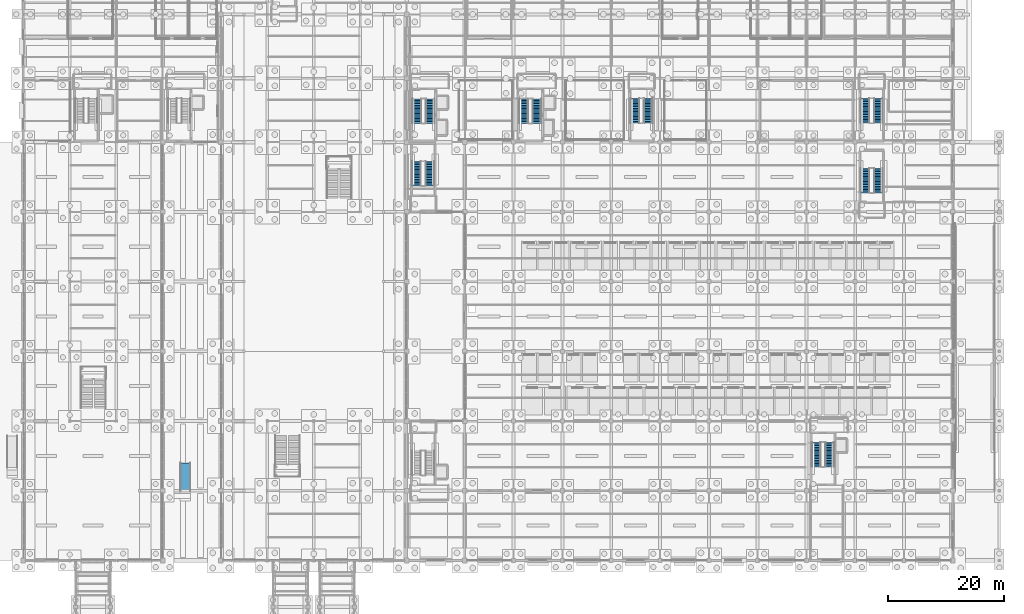
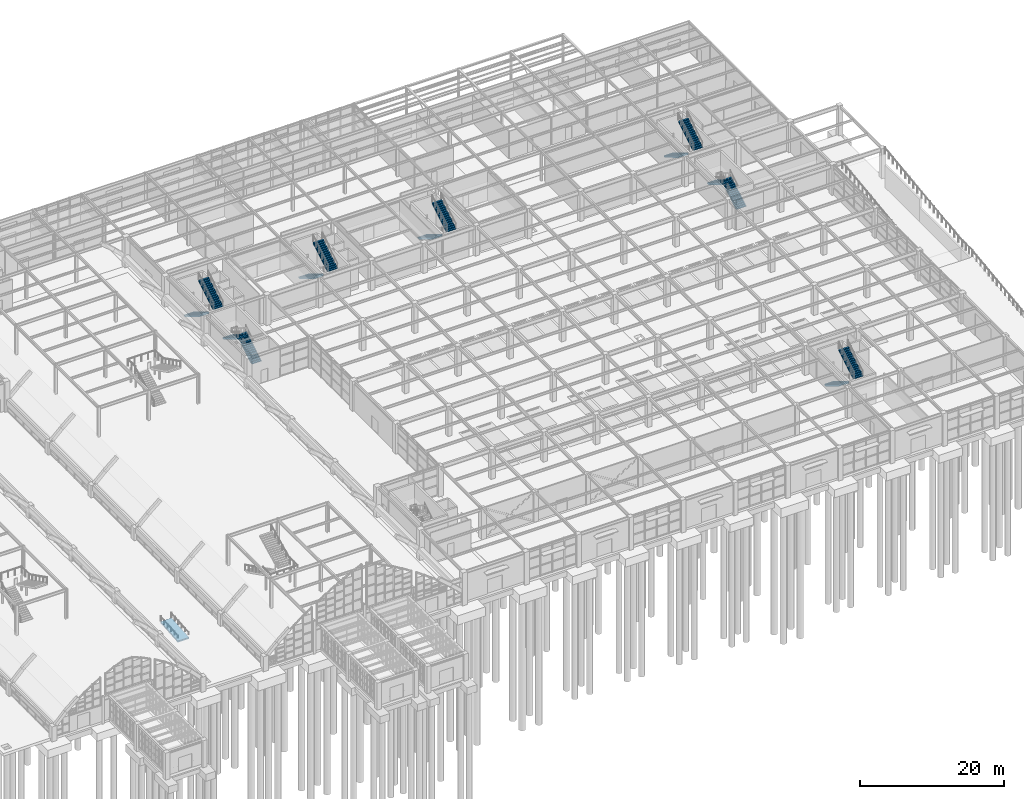
# One storey, part 112 of 129: 14 stair flights, 1 ramp flight, 8 elements without a shape of their own.
"""IFC4 building model written with IfcOpenShell, lengths in metres."""

from ifc_helpers import new_model, si_unit, direction, frame, origin, place, context, subcontext, project, spatial, polyline, outline, extrude, material, layer, layer_set, type_object, element, aggregate, save


model = new_model("IFC4")

# Units and contexts
model_context = context("Model", 3, precision=1e-05, world=origin(), true_north=direction((0.0, 1.0)))
body_context = subcontext(model_context, "Body", "Model", "MODEL_VIEW")
ifc_project = project(units=[si_unit("LENGTHUNIT", "METRE"), si_unit("AREAUNIT", "SQUARE_METRE"), si_unit("VOLUMEUNIT", "CUBIC_METRE"), si_unit("PLANEANGLEUNIT", "RADIAN"), si_unit("MASSUNIT", "GRAM", prefix="KILO")], contexts=[model_context])

# Site, building, storey
site_placement = place(None, origin())
site = spatial("IfcSite", under=ifc_project, at=site_placement, CompositionType="ELEMENT")
building_placement = place(site_placement, origin())
building = spatial("IfcBuilding", under=site, at=building_placement, Name="Sitalva Quay Ferry Terminal", CompositionType="ELEMENT")
storey_placement = place(building_placement, origin())
storey = spatial("IfcBuildingStorey", under=building, at=storey_placement, Name="L01", CompositionType="ELEMENT", Elevation=0.0)

# Stair, stair flights
ifc_material_1 = material(Name="Concrete C35/45", Category="concrete")
stair_type_1 = type_object("IfcStairType", Name="Stair_CoreDogLeg_1400", PredefinedType="HALF_TURN_STAIR", material=ifc_material_1)
stair_1_placement = place(storey_placement, origin())
stair_1 = element("IfcStair", 1, at=stair_1_placement, inside=storey, type_object=stair_type_1, Name="L01 Core C4 stair ST-04", PredefinedType="HALF_TURN_STAIR")
ifc_material_2 = material(Name="Concrete C35/45", Category="concrete")
stair_flight_type_1 = type_object("IfcStairFlightType", Name="Stair_CoreDogLeg_1400_Flight", PredefinedType="STRAIGHT", material=ifc_material_2)
stair_flight_1_placement = place(storey_placement, frame((113.31005859375, 85.510009765625, 0.0), z_axis=(0.0, 0.0, 1.0), x_axis=(0.0, -1.0, 0.0)))
stair_flight_1 = element("IfcStairFlight", 2, at=stair_flight_1_placement, type_object=stair_flight_type_1, Name="ST-04 flight 1", NumberOfRisers=16, NumberOfTreads=15, PredefinedType="STRAIGHT", RiserHeight=0.16875, TreadLength=0.28, context=body_context, shape_type="SweptSolid", body=[
    extrude(outline(polyline([(0.0, 0.0), (0.0, 0.168701171875), (0.280029296875, 0.168701171875), (0.280029296875, 0.33740234375), (0.56005859375, 0.33740234375), (0.56005859375, 0.50634765625), (0.840087890625, 0.50634765625), (0.840087890625, 0.675048828125), (1.1201171875, 0.675048828125), (1.1201171875, 0.84375), (1.39990234375, 0.84375), (1.39990234375, 1.012451171875), (1.679931640625, 1.012451171875), (1.679931640625, 1.18115234375), (1.9599609375, 1.18115234375), (1.9599609375, 1.35009765625), (2.239990234375, 1.35009765625), (2.239990234375, 1.518798828125), (2.52001953125, 1.518798828125), (2.52001953125, 1.6875), (2.800048828125, 1.6875), (2.800048828125, 1.856201171875), (3.080078125, 1.856201171875), (3.080078125, 2.02490234375), (3.360107421875, 2.02490234375), (3.360107421875, 2.19384765625), (3.639892578125, 2.19384765625), (3.639892578125, 2.362548828125), (3.919921875, 2.362548828125), (3.919921875, 2.53125), (4.199951171875, 2.53125), (4.199951171875, 2.699951171875), (4.199951171875, 2.3212890625), (3.959228515625, 2.176025390625), (3.718505859375, 2.031005859375), (3.477783203125, 1.885986328125), (3.237060546875, 1.740966796875), (2.996337890625, 1.595703125), (2.755615234375, 1.45068359375), (2.514892578125, 1.3056640625), (2.274169921875, 1.16064453125), (2.03369140625, 1.015625), (1.79296875, 0.870361328125), (1.55224609375, 0.725341796875), (1.3115234375, 0.580322265625), (1.07080078125, 0.435302734375), (0.830078125, 0.2900390625), (0.58935546875, 0.14501953125), (0.3486328125, 0.0), (0.0, 0.0)])), frame((0.0, 0.780029296875, 0.0), z_axis=(0.0, -1.0, 0.0), x_axis=(1.0, 0.0, 0.0)), (0.0, 0.0, 1.0), 1.56005859375),
])
stair_flight_2_placement = place(storey_placement, frame((115.590087890625, 81.31005859375, 2.699951171875), z_axis=(0.0, 0.0, 1.0), x_axis=(0.0, 1.0, 0.0)))
stair_flight_2 = element("IfcStairFlight", 3, at=stair_flight_2_placement, type_object=stair_flight_type_1, Name="ST-04 flight 2", NumberOfRisers=16, NumberOfTreads=15, PredefinedType="STRAIGHT", RiserHeight=0.16875, TreadLength=0.28, context=body_context, shape_type="SweptSolid", body=[
    extrude(outline(polyline([(0.0, 0.0), (0.0, 0.168701171875), (0.280029296875, 0.168701171875), (0.280029296875, 0.33740234375), (0.56005859375, 0.33740234375), (0.56005859375, 0.50634765625), (0.840087890625, 0.50634765625), (0.840087890625, 0.675048828125), (1.1201171875, 0.675048828125), (1.1201171875, 0.84375), (1.39990234375, 0.84375), (1.39990234375, 1.012451171875), (1.679931640625, 1.012451171875), (1.679931640625, 1.18115234375), (1.9599609375, 1.18115234375), (1.9599609375, 1.35009765625), (2.239990234375, 1.35009765625), (2.239990234375, 1.518798828125), (2.52001953125, 1.518798828125), (2.52001953125, 1.6875), (2.800048828125, 1.6875), (2.800048828125, 1.856201171875), (3.080078125, 1.856201171875), (3.080078125, 2.02490234375), (3.360107421875, 2.02490234375), (3.360107421875, 2.19384765625), (3.639892578125, 2.19384765625), (3.639892578125, 2.362548828125), (3.919921875, 2.362548828125), (3.919921875, 2.53125), (4.199951171875, 2.53125), (4.199951171875, 2.699951171875), (4.199951171875, 2.3212890625), (3.959228515625, 2.176025390625), (3.718505859375, 2.031005859375), (3.477783203125, 1.885986328125), (3.237060546875, 1.740966796875), (2.996337890625, 1.595703125), (2.755615234375, 1.45068359375), (2.514892578125, 1.3056640625), (2.274169921875, 1.16064453125), (2.03369140625, 1.015625), (1.79296875, 0.870361328125), (1.55224609375, 0.725341796875), (1.3115234375, 0.580322265625), (1.07080078125, 0.435302734375), (0.830078125, 0.2900390625), (0.58935546875, 0.14501953125), (0.3486328125, 0.0), (0.0, 0.0)])), frame((0.0, 0.780029296875, 0.0), z_axis=(0.0, -1.0, 0.0), x_axis=(1.0, 0.0, 0.0)), (0.0, 0.0, 1.0), 1.56005859375),
])
aggregate(stair_1, [stair_flight_1, stair_flight_2])

stair_2_placement = place(storey_placement, origin())
stair_2 = element("IfcStair", 4, at=stair_2_placement, inside=storey, type_object=stair_type_1, Name="L01 Core C8 stair ST-08", PredefinedType="HALF_TURN_STAIR")
stair_flight_3_placement = place(storey_placement, frame((144.5, 26.320068359375, 0.0), z_axis=(0.0, 0.0, 1.0), x_axis=(0.0, -1.0, 0.0)))
stair_flight_3 = element("IfcStairFlight", 5, at=stair_flight_3_placement, type_object=stair_flight_type_1, Name="ST-08 flight 1", NumberOfRisers=16, NumberOfTreads=15, PredefinedType="STRAIGHT", RiserHeight=0.16875, TreadLength=0.28, context=body_context, shape_type="SweptSolid", body=[
    extrude(outline(polyline([(0.0, 0.0), (0.0, 0.168701171875), (0.280029296875, 0.168701171875), (0.280029296875, 0.33740234375), (0.56005859375, 0.33740234375), (0.56005859375, 0.50634765625), (0.840087890625, 0.50634765625), (0.840087890625, 0.675048828125), (1.1201171875, 0.675048828125), (1.1201171875, 0.84375), (1.39990234375, 0.84375), (1.39990234375, 1.012451171875), (1.679931640625, 1.012451171875), (1.679931640625, 1.18115234375), (1.9599609375, 1.18115234375), (1.9599609375, 1.35009765625), (2.239990234375, 1.35009765625), (2.239990234375, 1.518798828125), (2.52001953125, 1.518798828125), (2.52001953125, 1.6875), (2.800048828125, 1.6875), (2.800048828125, 1.856201171875), (3.080078125, 1.856201171875), (3.080078125, 2.02490234375), (3.360107421875, 2.02490234375), (3.360107421875, 2.19384765625), (3.639892578125, 2.19384765625), (3.639892578125, 2.362548828125), (3.919921875, 2.362548828125), (3.919921875, 2.53125), (4.199951171875, 2.53125), (4.199951171875, 2.699951171875), (4.199951171875, 2.3212890625), (3.959228515625, 2.176025390625), (3.718505859375, 2.031005859375), (3.477783203125, 1.885986328125), (3.237060546875, 1.740966796875), (2.996337890625, 1.595703125), (2.755615234375, 1.45068359375), (2.514892578125, 1.3056640625), (2.274169921875, 1.16064453125), (2.03369140625, 1.015625), (1.79296875, 0.870361328125), (1.55224609375, 0.725341796875), (1.3115234375, 0.580322265625), (1.07080078125, 0.435302734375), (0.830078125, 0.2900390625), (0.58935546875, 0.14501953125), (0.3486328125, 0.0), (0.0, 0.0)])), frame((0.0, 0.780029296875, 0.0), z_axis=(0.0, -1.0, 0.0), x_axis=(1.0, 0.0, 0.0)), (0.0, 0.0, 1.0), 1.56005859375),
])
stair_flight_4_placement = place(storey_placement, frame((146.800048828125, 22.1201171875, 2.699951171875), z_axis=(0.0, 0.0, 1.0), x_axis=(0.0, 1.0, 0.0)))
stair_flight_4 = element("IfcStairFlight", 6, at=stair_flight_4_placement, type_object=stair_flight_type_1, Name="ST-08 flight 2", NumberOfRisers=16, NumberOfTreads=15, PredefinedType="STRAIGHT", RiserHeight=0.16875, TreadLength=0.28, context=body_context, shape_type="SweptSolid", body=[
    extrude(outline(polyline([(0.0, 0.0), (0.0, 0.168701171875), (0.280029296875, 0.168701171875), (0.280029296875, 0.33740234375), (0.56005859375, 0.33740234375), (0.56005859375, 0.50634765625), (0.840087890625, 0.50634765625), (0.840087890625, 0.675048828125), (1.1201171875, 0.675048828125), (1.1201171875, 0.84375), (1.39990234375, 0.84375), (1.39990234375, 1.012451171875), (1.679931640625, 1.012451171875), (1.679931640625, 1.18115234375), (1.9599609375, 1.18115234375), (1.9599609375, 1.35009765625), (2.239990234375, 1.35009765625), (2.239990234375, 1.518798828125), (2.52001953125, 1.518798828125), (2.52001953125, 1.6875), (2.800048828125, 1.6875), (2.800048828125, 1.856201171875), (3.080078125, 1.856201171875), (3.080078125, 2.02490234375), (3.360107421875, 2.02490234375), (3.360107421875, 2.19384765625), (3.639892578125, 2.19384765625), (3.639892578125, 2.362548828125), (3.919921875, 2.362548828125), (3.919921875, 2.53125), (4.199951171875, 2.53125), (4.199951171875, 2.699951171875), (4.199951171875, 2.3212890625), (3.959228515625, 2.176025390625), (3.718505859375, 2.031005859375), (3.477783203125, 1.885986328125), (3.237060546875, 1.740966796875), (2.996337890625, 1.595703125), (2.755615234375, 1.45068359375), (2.514892578125, 1.3056640625), (2.274169921875, 1.16064453125), (2.03369140625, 1.015625), (1.79296875, 0.870361328125), (1.55224609375, 0.725341796875), (1.3115234375, 0.580322265625), (1.07080078125, 0.435302734375), (0.830078125, 0.2900390625), (0.58935546875, 0.14501953125), (0.3486328125, 0.0), (0.0, 0.0)])), frame((0.0, 0.780029296875, 0.0), z_axis=(0.0, -1.0, 0.0), x_axis=(1.0, 0.0, 0.0)), (0.0, 0.0, 1.0), 1.56005859375),
])
aggregate(stair_2, [stair_flight_3, stair_flight_4])

stair_3_placement = place(storey_placement, origin())
stair_3 = element("IfcStair", 7, at=stair_3_placement, inside=storey, type_object=stair_type_1, Name="L01 Core C9 stair ST-09", PredefinedType="HALF_TURN_STAIR")
stair_flight_5_placement = place(storey_placement, frame((155.199951171875, 69.280029296875, 0.0), z_axis=(0.0, 0.0, 1.0), x_axis=(0.0, 1.0, 0.0)))
stair_flight_5 = element("IfcStairFlight", 8, at=stair_flight_5_placement, type_object=stair_flight_type_1, Name="ST-09 flight 1", NumberOfRisers=16, NumberOfTreads=15, PredefinedType="STRAIGHT", RiserHeight=0.16875, TreadLength=0.28, context=body_context, shape_type="SweptSolid", body=[
    extrude(outline(polyline([(0.0, 0.0), (0.0, 0.168701171875), (0.280029296875, 0.168701171875), (0.280029296875, 0.33740234375), (0.56005859375, 0.33740234375), (0.56005859375, 0.50634765625), (0.840087890625, 0.50634765625), (0.840087890625, 0.675048828125), (1.1201171875, 0.675048828125), (1.1201171875, 0.84375), (1.39990234375, 0.84375), (1.39990234375, 1.012451171875), (1.679931640625, 1.012451171875), (1.679931640625, 1.18115234375), (1.9599609375, 1.18115234375), (1.9599609375, 1.35009765625), (2.239990234375, 1.35009765625), (2.239990234375, 1.518798828125), (2.52001953125, 1.518798828125), (2.52001953125, 1.6875), (2.800048828125, 1.6875), (2.800048828125, 1.856201171875), (3.080078125, 1.856201171875), (3.080078125, 2.02490234375), (3.360107421875, 2.02490234375), (3.360107421875, 2.19384765625), (3.639892578125, 2.19384765625), (3.639892578125, 2.362548828125), (3.919921875, 2.362548828125), (3.919921875, 2.53125), (4.199951171875, 2.53125), (4.199951171875, 2.699951171875), (4.199951171875, 2.3212890625), (3.959228515625, 2.176025390625), (3.718505859375, 2.031005859375), (3.477783203125, 1.885986328125), (3.237060546875, 1.740966796875), (2.996337890625, 1.595703125), (2.755615234375, 1.45068359375), (2.514892578125, 1.3056640625), (2.274169921875, 1.16064453125), (2.03369140625, 1.015625), (1.79296875, 0.870361328125), (1.55224609375, 0.725341796875), (1.3115234375, 0.580322265625), (1.07080078125, 0.435302734375), (0.830078125, 0.2900390625), (0.58935546875, 0.14501953125), (0.3486328125, 0.0), (0.0, 0.0)])), frame((0.0, 0.780029296875, 0.0), z_axis=(0.0, -1.0, 0.0), x_axis=(1.0, 0.0, 0.0)), (0.0, 0.0, 1.0), 1.56005859375),
])
stair_flight_6_placement = place(storey_placement, frame((152.89990234375, 73.47998046875, 2.699951171875), z_axis=(0.0, 0.0, 1.0), x_axis=(0.0, -1.0, 0.0)))
stair_flight_6 = element("IfcStairFlight", 9, at=stair_flight_6_placement, type_object=stair_flight_type_1, Name="ST-09 flight 2", NumberOfRisers=16, NumberOfTreads=15, PredefinedType="STRAIGHT", RiserHeight=0.16875, TreadLength=0.28, context=body_context, shape_type="SweptSolid", body=[
    extrude(outline(polyline([(0.0, 0.0), (0.0, 0.168701171875), (0.280029296875, 0.168701171875), (0.280029296875, 0.33740234375), (0.56005859375, 0.33740234375), (0.56005859375, 0.50634765625), (0.840087890625, 0.50634765625), (0.840087890625, 0.675048828125), (1.1201171875, 0.675048828125), (1.1201171875, 0.84375), (1.39990234375, 0.84375), (1.39990234375, 1.012451171875), (1.679931640625, 1.012451171875), (1.679931640625, 1.18115234375), (1.9599609375, 1.18115234375), (1.9599609375, 1.35009765625), (2.239990234375, 1.35009765625), (2.239990234375, 1.518798828125), (2.52001953125, 1.518798828125), (2.52001953125, 1.6875), (2.800048828125, 1.6875), (2.800048828125, 1.856201171875), (3.080078125, 1.856201171875), (3.080078125, 2.02490234375), (3.360107421875, 2.02490234375), (3.360107421875, 2.19384765625), (3.639892578125, 2.19384765625), (3.639892578125, 2.362548828125), (3.919921875, 2.362548828125), (3.919921875, 2.53125), (4.199951171875, 2.53125), (4.199951171875, 2.699951171875), (4.199951171875, 2.3212890625), (3.959228515625, 2.176025390625), (3.718505859375, 2.031005859375), (3.477783203125, 1.885986328125), (3.237060546875, 1.740966796875), (2.996337890625, 1.595703125), (2.755615234375, 1.45068359375), (2.514892578125, 1.3056640625), (2.274169921875, 1.16064453125), (2.03369140625, 1.015625), (1.79296875, 0.870361328125), (1.55224609375, 0.725341796875), (1.3115234375, 0.580322265625), (1.07080078125, 0.435302734375), (0.830078125, 0.2900390625), (0.58935546875, 0.14501953125), (0.3486328125, 0.0), (0.0, 0.0)])), frame((0.0, 0.780029296875, 0.0), z_axis=(0.0, -1.0, 0.0), x_axis=(1.0, 0.0, 0.0)), (0.0, 0.0, 1.0), 1.56005859375),
])
aggregate(stair_3, [stair_flight_5, stair_flight_6])

stair_4_placement = place(storey_placement, origin())
stair_4 = element("IfcStair", 10, at=stair_4_placement, inside=storey, type_object=stair_type_1, Name="L01 Core C10 stair ST-10", PredefinedType="HALF_TURN_STAIR")
stair_flight_7_placement = place(storey_placement, frame((152.89990234375, 85.52001953125, 0.0), z_axis=(0.0, 0.0, 1.0), x_axis=(0.0, -1.0, 0.0)))
stair_flight_7 = element("IfcStairFlight", 11, at=stair_flight_7_placement, type_object=stair_flight_type_1, Name="ST-10 flight 1", NumberOfRisers=16, NumberOfTreads=15, PredefinedType="STRAIGHT", RiserHeight=0.16875, TreadLength=0.28, context=body_context, shape_type="SweptSolid", body=[
    extrude(outline(polyline([(0.0, 0.0), (0.0, 0.168701171875), (0.280029296875, 0.168701171875), (0.280029296875, 0.33740234375), (0.56005859375, 0.33740234375), (0.56005859375, 0.50634765625), (0.840087890625, 0.50634765625), (0.840087890625, 0.675048828125), (1.1201171875, 0.675048828125), (1.1201171875, 0.84375), (1.39990234375, 0.84375), (1.39990234375, 1.012451171875), (1.679931640625, 1.012451171875), (1.679931640625, 1.18115234375), (1.9599609375, 1.18115234375), (1.9599609375, 1.35009765625), (2.239990234375, 1.35009765625), (2.239990234375, 1.518798828125), (2.52001953125, 1.518798828125), (2.52001953125, 1.6875), (2.800048828125, 1.6875), (2.800048828125, 1.856201171875), (3.080078125, 1.856201171875), (3.080078125, 2.02490234375), (3.360107421875, 2.02490234375), (3.360107421875, 2.19384765625), (3.639892578125, 2.19384765625), (3.639892578125, 2.362548828125), (3.919921875, 2.362548828125), (3.919921875, 2.53125), (4.199951171875, 2.53125), (4.199951171875, 2.699951171875), (4.199951171875, 2.3212890625), (3.959228515625, 2.176025390625), (3.718505859375, 2.031005859375), (3.477783203125, 1.885986328125), (3.237060546875, 1.740966796875), (2.996337890625, 1.595703125), (2.755615234375, 1.45068359375), (2.514892578125, 1.3056640625), (2.274169921875, 1.16064453125), (2.03369140625, 1.015625), (1.79296875, 0.870361328125), (1.55224609375, 0.725341796875), (1.3115234375, 0.580322265625), (1.07080078125, 0.435302734375), (0.830078125, 0.2900390625), (0.58935546875, 0.14501953125), (0.3486328125, 0.0), (0.0, 0.0)])), frame((0.0, 0.780029296875, 0.0), z_axis=(0.0, -1.0, 0.0), x_axis=(1.0, 0.0, 0.0)), (0.0, 0.0, 1.0), 1.56005859375),
])
stair_flight_8_placement = place(storey_placement, frame((155.199951171875, 81.320068359375, 2.699951171875), z_axis=(0.0, 0.0, 1.0), x_axis=(0.0, 1.0, 0.0)))
stair_flight_8 = element("IfcStairFlight", 12, at=stair_flight_8_placement, type_object=stair_flight_type_1, Name="ST-10 flight 2", NumberOfRisers=16, NumberOfTreads=15, PredefinedType="STRAIGHT", RiserHeight=0.16875, TreadLength=0.28, context=body_context, shape_type="SweptSolid", body=[
    extrude(outline(polyline([(0.0, 0.0), (0.0, 0.168701171875), (0.280029296875, 0.168701171875), (0.280029296875, 0.33740234375), (0.56005859375, 0.33740234375), (0.56005859375, 0.50634765625), (0.840087890625, 0.50634765625), (0.840087890625, 0.675048828125), (1.1201171875, 0.675048828125), (1.1201171875, 0.84375), (1.39990234375, 0.84375), (1.39990234375, 1.012451171875), (1.679931640625, 1.012451171875), (1.679931640625, 1.18115234375), (1.9599609375, 1.18115234375), (1.9599609375, 1.35009765625), (2.239990234375, 1.35009765625), (2.239990234375, 1.518798828125), (2.52001953125, 1.518798828125), (2.52001953125, 1.6875), (2.800048828125, 1.6875), (2.800048828125, 1.856201171875), (3.080078125, 1.856201171875), (3.080078125, 2.02490234375), (3.360107421875, 2.02490234375), (3.360107421875, 2.19384765625), (3.639892578125, 2.19384765625), (3.639892578125, 2.362548828125), (3.919921875, 2.362548828125), (3.919921875, 2.53125), (4.199951171875, 2.53125), (4.199951171875, 2.699951171875), (4.199951171875, 2.3212890625), (3.959228515625, 2.176025390625), (3.718505859375, 2.031005859375), (3.477783203125, 1.885986328125), (3.237060546875, 1.740966796875), (2.996337890625, 1.595703125), (2.755615234375, 1.45068359375), (2.514892578125, 1.3056640625), (2.274169921875, 1.16064453125), (2.03369140625, 1.015625), (1.79296875, 0.870361328125), (1.55224609375, 0.725341796875), (1.3115234375, 0.580322265625), (1.07080078125, 0.435302734375), (0.830078125, 0.2900390625), (0.58935546875, 0.14501953125), (0.3486328125, 0.0), (0.0, 0.0)])), frame((0.0, 0.780029296875, 0.0), z_axis=(0.0, -1.0, 0.0), x_axis=(1.0, 0.0, 0.0)), (0.0, 0.0, 1.0), 1.56005859375),
])
aggregate(stair_4, [stair_flight_7, stair_flight_8])

stair_5_placement = place(storey_placement, origin())
stair_5 = element("IfcStair", 13, at=stair_5_placement, inside=storey, type_object=stair_type_1, Name="L01 Core C11 stair ST-13", PredefinedType="HALF_TURN_STAIR")
stair_flight_9_placement = place(storey_placement, frame((78.0, 70.47998046875, 0.0), z_axis=(0.0, 0.0, 1.0), x_axis=(0.0, 1.0, 0.0)))
stair_flight_9 = element("IfcStairFlight", 14, at=stair_flight_9_placement, type_object=stair_flight_type_1, Name="ST-13 flight 1", NumberOfRisers=16, NumberOfTreads=15, PredefinedType="STRAIGHT", RiserHeight=0.16875, TreadLength=0.28, context=body_context, shape_type="SweptSolid", body=[
    extrude(outline(polyline([(0.0, 0.0), (0.0, 0.168701171875), (0.280029296875, 0.168701171875), (0.280029296875, 0.33740234375), (0.56005859375, 0.33740234375), (0.56005859375, 0.50634765625), (0.840087890625, 0.50634765625), (0.840087890625, 0.675048828125), (1.1201171875, 0.675048828125), (1.1201171875, 0.84375), (1.39990234375, 0.84375), (1.39990234375, 1.012451171875), (1.679931640625, 1.012451171875), (1.679931640625, 1.18115234375), (1.9599609375, 1.18115234375), (1.9599609375, 1.35009765625), (2.239990234375, 1.35009765625), (2.239990234375, 1.518798828125), (2.52001953125, 1.518798828125), (2.52001953125, 1.6875), (2.800048828125, 1.6875), (2.800048828125, 1.856201171875), (3.080078125, 1.856201171875), (3.080078125, 2.02490234375), (3.360107421875, 2.02490234375), (3.360107421875, 2.19384765625), (3.639892578125, 2.19384765625), (3.639892578125, 2.362548828125), (3.919921875, 2.362548828125), (3.919921875, 2.53125), (4.199951171875, 2.53125), (4.199951171875, 2.699951171875), (4.199951171875, 2.3212890625), (3.959228515625, 2.176025390625), (3.718505859375, 2.031005859375), (3.477783203125, 1.885986328125), (3.237060546875, 1.740966796875), (2.996337890625, 1.595703125), (2.755615234375, 1.45068359375), (2.514892578125, 1.3056640625), (2.274169921875, 1.16064453125), (2.03369140625, 1.015625), (1.79296875, 0.870361328125), (1.55224609375, 0.725341796875), (1.3115234375, 0.580322265625), (1.07080078125, 0.435302734375), (0.830078125, 0.2900390625), (0.58935546875, 0.14501953125), (0.3486328125, 0.0), (0.0, 0.0)])), frame((0.0, 0.780029296875, 0.0), z_axis=(0.0, -1.0, 0.0), x_axis=(1.0, 0.0, 0.0)), (0.0, 0.0, 1.0), 1.56005859375),
])
stair_flight_10_placement = place(storey_placement, frame((75.699951171875, 74.679931640625, 2.699951171875), z_axis=(0.0, 0.0, 1.0), x_axis=(0.0, -1.0, 0.0)))
stair_flight_10 = element("IfcStairFlight", 15, at=stair_flight_10_placement, type_object=stair_flight_type_1, Name="ST-13 flight 2", NumberOfRisers=16, NumberOfTreads=15, PredefinedType="STRAIGHT", RiserHeight=0.16875, TreadLength=0.28, context=body_context, shape_type="SweptSolid", body=[
    extrude(outline(polyline([(0.0, 0.0), (0.0, 0.168701171875), (0.280029296875, 0.168701171875), (0.280029296875, 0.33740234375), (0.56005859375, 0.33740234375), (0.56005859375, 0.50634765625), (0.840087890625, 0.50634765625), (0.840087890625, 0.675048828125), (1.1201171875, 0.675048828125), (1.1201171875, 0.84375), (1.39990234375, 0.84375), (1.39990234375, 1.012451171875), (1.679931640625, 1.012451171875), (1.679931640625, 1.18115234375), (1.9599609375, 1.18115234375), (1.9599609375, 1.35009765625), (2.239990234375, 1.35009765625), (2.239990234375, 1.518798828125), (2.52001953125, 1.518798828125), (2.52001953125, 1.6875), (2.800048828125, 1.6875), (2.800048828125, 1.856201171875), (3.080078125, 1.856201171875), (3.080078125, 2.02490234375), (3.360107421875, 2.02490234375), (3.360107421875, 2.19384765625), (3.639892578125, 2.19384765625), (3.639892578125, 2.362548828125), (3.919921875, 2.362548828125), (3.919921875, 2.53125), (4.199951171875, 2.53125), (4.199951171875, 2.699951171875), (4.199951171875, 2.3212890625), (3.959228515625, 2.176025390625), (3.718505859375, 2.031005859375), (3.477783203125, 1.885986328125), (3.237060546875, 1.740966796875), (2.996337890625, 1.595703125), (2.755615234375, 1.45068359375), (2.514892578125, 1.3056640625), (2.274169921875, 1.16064453125), (2.03369140625, 1.015625), (1.79296875, 0.870361328125), (1.55224609375, 0.725341796875), (1.3115234375, 0.580322265625), (1.07080078125, 0.435302734375), (0.830078125, 0.2900390625), (0.58935546875, 0.14501953125), (0.3486328125, 0.0), (0.0, 0.0)])), frame((0.0, 0.780029296875, 0.0), z_axis=(0.0, -1.0, 0.0), x_axis=(1.0, 0.0, 0.0)), (0.0, 0.0, 1.0), 1.56005859375),
])
aggregate(stair_5, [stair_flight_9, stair_flight_10])

ifc_material_3 = material(Name="Concrete C35/45", Category="concrete")
stair_type_2 = type_object("IfcStairType", Name="Stair_CoreDogLeg_1500", PredefinedType="HALF_TURN_STAIR", material=ifc_material_3)
stair_6_placement = place(storey_placement, origin())
stair_6 = element("IfcStair", 16, at=stair_6_placement, inside=storey, type_object=stair_type_2, Name="L01 Core C1 stair ST-01", PredefinedType="HALF_TURN_STAIR")
ifc_material_4 = material(Name="Concrete C35/45", Category="concrete")
stair_flight_type_2 = type_object("IfcStairFlightType", Name="Stair_CoreDogLeg_1500_Flight", PredefinedType="STRAIGHT", material=ifc_material_4)
stair_flight_11_placement = place(storey_placement, frame((75.739990234375, 85.449951171875, 0.0), z_axis=(0.0, 0.0, 1.0), x_axis=(0.0, -1.0, 0.0)))
stair_flight_11 = element("IfcStairFlight", 17, at=stair_flight_11_placement, type_object=stair_flight_type_2, Name="ST-01 flight 1", NumberOfRisers=16, NumberOfTreads=15, PredefinedType="STRAIGHT", RiserHeight=0.16875, TreadLength=0.28, context=body_context, shape_type="SweptSolid", body=[
    extrude(outline(polyline([(0.0, 0.0), (0.0, 0.168701171875), (0.280029296875, 0.168701171875), (0.280029296875, 0.33740234375), (0.56005859375, 0.33740234375), (0.56005859375, 0.50634765625), (0.840087890625, 0.50634765625), (0.840087890625, 0.675048828125), (1.1201171875, 0.675048828125), (1.1201171875, 0.84375), (1.39990234375, 0.84375), (1.39990234375, 1.012451171875), (1.679931640625, 1.012451171875), (1.679931640625, 1.18115234375), (1.9599609375, 1.18115234375), (1.9599609375, 1.35009765625), (2.239990234375, 1.35009765625), (2.239990234375, 1.518798828125), (2.52001953125, 1.518798828125), (2.52001953125, 1.6875), (2.800048828125, 1.6875), (2.800048828125, 1.856201171875), (3.080078125, 1.856201171875), (3.080078125, 2.02490234375), (3.360107421875, 2.02490234375), (3.360107421875, 2.19384765625), (3.639892578125, 2.19384765625), (3.639892578125, 2.362548828125), (3.919921875, 2.362548828125), (3.919921875, 2.53125), (4.199951171875, 2.53125), (4.199951171875, 2.699951171875), (4.199951171875, 2.3212890625), (3.959228515625, 2.176025390625), (3.718505859375, 2.031005859375), (3.477783203125, 1.885986328125), (3.237060546875, 1.740966796875), (2.996337890625, 1.595703125), (2.755615234375, 1.45068359375), (2.514892578125, 1.3056640625), (2.274169921875, 1.16064453125), (2.03369140625, 1.015625), (1.79296875, 0.870361328125), (1.55224609375, 0.725341796875), (1.3115234375, 0.580322265625), (1.07080078125, 0.435302734375), (0.830078125, 0.2900390625), (0.58935546875, 0.14501953125), (0.3486328125, 0.0), (0.0, 0.0)])), frame((0.0, 0.81005859375, 0.0), z_axis=(0.0, -1.0, 0.0), x_axis=(1.0, 0.0, 0.0)), (0.0, 0.0, 1.0), 1.6201171875),
])
stair_flight_12_placement = place(storey_placement, frame((78.06005859375, 81.25, 2.699951171875), z_axis=(0.0, 0.0, 1.0), x_axis=(0.0, 1.0, 0.0)))
stair_flight_12 = element("IfcStairFlight", 18, at=stair_flight_12_placement, type_object=stair_flight_type_2, Name="ST-01 flight 2", NumberOfRisers=16, NumberOfTreads=15, PredefinedType="STRAIGHT", RiserHeight=0.16875, TreadLength=0.28, context=body_context, shape_type="SweptSolid", body=[
    extrude(outline(polyline([(0.0, 0.0), (0.0, 0.168701171875), (0.280029296875, 0.168701171875), (0.280029296875, 0.33740234375), (0.56005859375, 0.33740234375), (0.56005859375, 0.50634765625), (0.840087890625, 0.50634765625), (0.840087890625, 0.675048828125), (1.1201171875, 0.675048828125), (1.1201171875, 0.84375), (1.39990234375, 0.84375), (1.39990234375, 1.012451171875), (1.679931640625, 1.012451171875), (1.679931640625, 1.18115234375), (1.9599609375, 1.18115234375), (1.9599609375, 1.35009765625), (2.239990234375, 1.35009765625), (2.239990234375, 1.518798828125), (2.52001953125, 1.518798828125), (2.52001953125, 1.6875), (2.800048828125, 1.6875), (2.800048828125, 1.856201171875), (3.080078125, 1.856201171875), (3.080078125, 2.02490234375), (3.360107421875, 2.02490234375), (3.360107421875, 2.19384765625), (3.639892578125, 2.19384765625), (3.639892578125, 2.362548828125), (3.919921875, 2.362548828125), (3.919921875, 2.53125), (4.199951171875, 2.53125), (4.199951171875, 2.699951171875), (4.199951171875, 2.3212890625), (3.959228515625, 2.176025390625), (3.718505859375, 2.031005859375), (3.477783203125, 1.885986328125), (3.237060546875, 1.740966796875), (2.996337890625, 1.595703125), (2.755615234375, 1.45068359375), (2.514892578125, 1.3056640625), (2.274169921875, 1.16064453125), (2.03369140625, 1.015625), (1.79296875, 0.870361328125), (1.55224609375, 0.725341796875), (1.3115234375, 0.580322265625), (1.07080078125, 0.435302734375), (0.830078125, 0.2900390625), (0.58935546875, 0.14501953125), (0.3486328125, 0.0), (0.0, 0.0)])), frame((0.0, 0.81005859375, 0.0), z_axis=(0.0, -1.0, 0.0), x_axis=(1.0, 0.0, 0.0)), (0.0, 0.0, 1.0), 1.6201171875),
])
aggregate(stair_6, [stair_flight_11, stair_flight_12])

stair_7_placement = place(storey_placement, origin())
stair_7 = element("IfcStair", 19, at=stair_7_placement, inside=storey, type_object=stair_type_2, Name="L01 Core C2 stair ST-02", PredefinedType="HALF_TURN_STAIR")
stair_flight_13_placement = place(storey_placement, frame((94.139892578125, 85.449951171875, 0.0), z_axis=(0.0, 0.0, 1.0), x_axis=(0.0, -1.0, 0.0)))
stair_flight_13 = element("IfcStairFlight", 20, at=stair_flight_13_placement, type_object=stair_flight_type_2, Name="ST-02 flight 1", NumberOfRisers=16, NumberOfTreads=15, PredefinedType="STRAIGHT", RiserHeight=0.16875, TreadLength=0.28, context=body_context, shape_type="SweptSolid", body=[
    extrude(outline(polyline([(0.0, 0.0), (0.0, 0.168701171875), (0.280029296875, 0.168701171875), (0.280029296875, 0.33740234375), (0.56005859375, 0.33740234375), (0.56005859375, 0.50634765625), (0.840087890625, 0.50634765625), (0.840087890625, 0.675048828125), (1.1201171875, 0.675048828125), (1.1201171875, 0.84375), (1.39990234375, 0.84375), (1.39990234375, 1.012451171875), (1.679931640625, 1.012451171875), (1.679931640625, 1.18115234375), (1.9599609375, 1.18115234375), (1.9599609375, 1.35009765625), (2.239990234375, 1.35009765625), (2.239990234375, 1.518798828125), (2.52001953125, 1.518798828125), (2.52001953125, 1.6875), (2.800048828125, 1.6875), (2.800048828125, 1.856201171875), (3.080078125, 1.856201171875), (3.080078125, 2.02490234375), (3.360107421875, 2.02490234375), (3.360107421875, 2.19384765625), (3.639892578125, 2.19384765625), (3.639892578125, 2.362548828125), (3.919921875, 2.362548828125), (3.919921875, 2.53125), (4.199951171875, 2.53125), (4.199951171875, 2.699951171875), (4.199951171875, 2.3212890625), (3.959228515625, 2.176025390625), (3.718505859375, 2.031005859375), (3.477783203125, 1.885986328125), (3.237060546875, 1.740966796875), (2.996337890625, 1.595703125), (2.755615234375, 1.45068359375), (2.514892578125, 1.3056640625), (2.274169921875, 1.16064453125), (2.03369140625, 1.015625), (1.79296875, 0.870361328125), (1.55224609375, 0.725341796875), (1.3115234375, 0.580322265625), (1.07080078125, 0.435302734375), (0.830078125, 0.2900390625), (0.58935546875, 0.14501953125), (0.3486328125, 0.0), (0.0, 0.0)])), frame((0.0, 0.81005859375, 0.0), z_axis=(0.0, -1.0, 0.0), x_axis=(1.0, 0.0, 0.0)), (0.0, 0.0, 1.0), 1.6201171875),
])
stair_flight_14_placement = place(storey_placement, frame((96.4599609375, 81.25, 2.699951171875), z_axis=(0.0, 0.0, 1.0), x_axis=(0.0, 1.0, 0.0)))
stair_flight_14 = element("IfcStairFlight", 21, at=stair_flight_14_placement, type_object=stair_flight_type_2, Name="ST-02 flight 2", NumberOfRisers=16, NumberOfTreads=15, PredefinedType="STRAIGHT", RiserHeight=0.16875, TreadLength=0.28, context=body_context, shape_type="SweptSolid", body=[
    extrude(outline(polyline([(0.0, 0.0), (0.0, 0.168701171875), (0.280029296875, 0.168701171875), (0.280029296875, 0.33740234375), (0.56005859375, 0.33740234375), (0.56005859375, 0.50634765625), (0.840087890625, 0.50634765625), (0.840087890625, 0.675048828125), (1.1201171875, 0.675048828125), (1.1201171875, 0.84375), (1.39990234375, 0.84375), (1.39990234375, 1.012451171875), (1.679931640625, 1.012451171875), (1.679931640625, 1.18115234375), (1.9599609375, 1.18115234375), (1.9599609375, 1.35009765625), (2.239990234375, 1.35009765625), (2.239990234375, 1.518798828125), (2.52001953125, 1.518798828125), (2.52001953125, 1.6875), (2.800048828125, 1.6875), (2.800048828125, 1.856201171875), (3.080078125, 1.856201171875), (3.080078125, 2.02490234375), (3.360107421875, 2.02490234375), (3.360107421875, 2.19384765625), (3.639892578125, 2.19384765625), (3.639892578125, 2.362548828125), (3.919921875, 2.362548828125), (3.919921875, 2.53125), (4.199951171875, 2.53125), (4.199951171875, 2.699951171875), (4.199951171875, 2.3212890625), (3.959228515625, 2.176025390625), (3.718505859375, 2.031005859375), (3.477783203125, 1.885986328125), (3.237060546875, 1.740966796875), (2.996337890625, 1.595703125), (2.755615234375, 1.45068359375), (2.514892578125, 1.3056640625), (2.274169921875, 1.16064453125), (2.03369140625, 1.015625), (1.79296875, 0.870361328125), (1.55224609375, 0.725341796875), (1.3115234375, 0.580322265625), (1.07080078125, 0.435302734375), (0.830078125, 0.2900390625), (0.58935546875, 0.14501953125), (0.3486328125, 0.0), (0.0, 0.0)])), frame((0.0, 0.81005859375, 0.0), z_axis=(0.0, -1.0, 0.0), x_axis=(1.0, 0.0, 0.0)), (0.0, 0.0, 1.0), 1.6201171875),
])
aggregate(stair_7, [stair_flight_13, stair_flight_14])

# Ramp, ramp flight
ifc_material_5 = material(Name="Concrete C35/45", Category="concrete")
ifc_layer_1 = layer(ifc_material_5, 0.25)
ifc_layer_set_1 = layer_set([ifc_layer_1], Name="Concrete C35/45")
ramp_type = type_object("IfcRampType", Name="Ramp_PedestrianAccess_1800", PredefinedType="STRAIGHT_RUN_RAMP", material=ifc_layer_set_1)
ramp_placement = place(storey_placement, origin())
ramp = element("IfcRamp", 22, at=ramp_placement, inside=storey, type_object=ramp_type, Name="Central monsoon garden court accessible ramp", PredefinedType="STRAIGHT_RUN_RAMP")
ifc_material_6 = material(Name="Concrete C35/45", Category="concrete")
ifc_layer_2 = layer(ifc_material_6, 0.25)
ifc_layer_set_2 = layer_set([ifc_layer_2], Name="Concrete C35/45")
ramp_flight_type = type_object("IfcRampFlightType", Name="Ramp_PedestrianAccess_1800_Flight", PredefinedType="STRAIGHT", material=ifc_layer_set_2)
ramp_flight_placement = place(storey_placement, frame((35.0, 18.0, -0.39990234375), z_axis=(0.0, -0.083024506106, 0.996547505835), x_axis=(1.0, 0.0, 0.0)))
ramp_flight = element("IfcRampFlight", 23, at=ramp_flight_placement, type_object=ramp_flight_type, Name="Central monsoon garden court accessible ramp flight", PredefinedType="STRAIGHT", context=body_context, shape_type="SweptSolid", body=[
    extrude(outline(polyline([(0.0, 0.0), (1.800048828125, 0.0), (1.800048828125, 4.816678382134407), (0.0, 4.816678382134407), (0.0, 0.0)])), origin(), (0.0, -0.083024506106, -0.996547505835), 0.2509765625),
])
aggregate(ramp, [ramp_flight])

save(model, "model.ifc")
